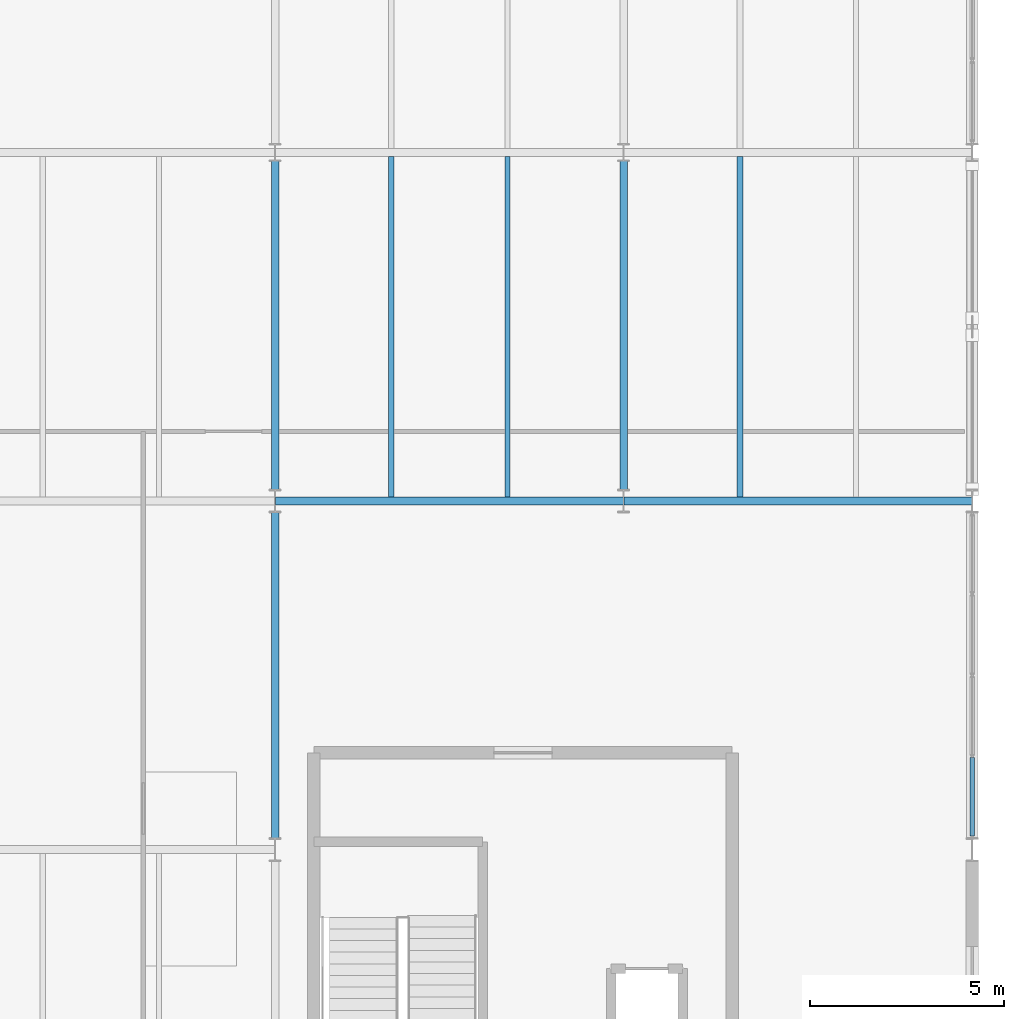
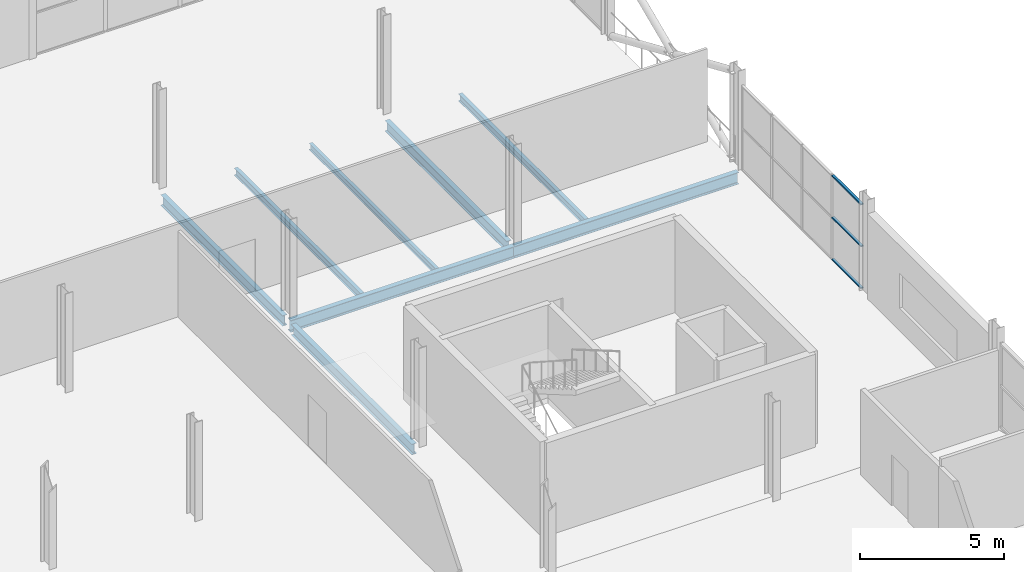
# One storey, part 94 of 135: 8 beams, 3 members, 1 element without a shape of its own.
"""IFC4 building model written with IfcOpenShell, lengths in metres."""

from ifc_helpers import new_model, si_unit, direction, frame, origin, origin_2d, place, context, subcontext, project, spatial, hollow_rectangle, i_section, extrude, material, layer, layer_set, material_profile, profile_set, type_object, element, aggregate, save


model = new_model("IFC4")

# Units and contexts
model_context = context("Model", 3, precision=1e-05, world=origin(), true_north=direction((0.0, 1.0)))
body_context = subcontext(model_context, "Body", "Model", "MODEL_VIEW")
ifc_project = project(units=[si_unit("LENGTHUNIT", "METRE"), si_unit("AREAUNIT", "SQUARE_METRE"), si_unit("VOLUMEUNIT", "CUBIC_METRE"), si_unit("PLANEANGLEUNIT", "RADIAN"), si_unit("MASSUNIT", "GRAM", prefix="KILO")], contexts=[model_context])

# Site, building, storey
site_placement = place(None, origin())
site = spatial("IfcSite", under=ifc_project, at=site_placement, CompositionType="ELEMENT")
building_placement = place(site_placement, origin())
building = spatial("IfcBuilding", under=site, at=building_placement, Name="Deido Ridge Mobility Hub", CompositionType="ELEMENT")
storey_placement = place(building_placement, frame((0.0, 0.0, 4.199951171875)))
storey = spatial("IfcBuildingStorey", under=building, at=storey_placement, Name="L01", CompositionType="ELEMENT", Elevation=4.199951171875)

# Beams
ifc_material_1 = material(Name="Steel S355J2 EN 10025-2", Category="steel")
ifc_material_profile_1 = material_profile(ifc_material_1, i_section(OverallWidth=0.18994140625, OverallDepth=0.449951171875, WebThickness=0.009521484375, FlangeThickness=0.0146484375, FilletRadius=0.02099609375, at=origin_2d()), Name="IPE 450")
ifc_profile_set_1 = profile_set([ifc_material_profile_1], Name="Steel S355J2 EN 10025-2")
beam_type_1 = type_object("IfcBeamType", Name="BM-IPE450", PredefinedType="BEAM", material=ifc_profile_set_1)
beam_1_placement = place(storey_placement, frame((162.0, 45.300048828125, -0.474853515625), z_axis=(0.0, 1.0, 0.0), x_axis=(-1.0, 0.0, 0.0)))
element("IfcBeam", 1, at=beam_1_placement, inside=storey, type_object=beam_type_1, Name="Floor beam B4", PredefinedType="BEAM", context=body_context, shape_type="SweptSolid", body=[
    extrude(i_section(OverallWidth=0.18994140625, OverallDepth=0.449951171875, WebThickness=0.009521484375, FlangeThickness=0.0146484375, FilletRadius=0.02099609375, at=origin_2d()), origin(), (0.0, 0.0, 1.0), 8.39990234375),
])
for number, where, z_axis, x_axis, name in (
    (2, (162.0, 54.300048828125, -0.474853515625), (0.0, 1.0, 0.0), (-1.0, 0.0, 0.0), "Floor beam B4"),
    (3, (171.0, 54.300048828125, -0.474853515625), (0.0, 1.0, 0.0), (-1.0, 0.0, 0.0), "Floor beam B4"),
):
    element("IfcBeam", number, at=place(storey_placement, frame(where, z_axis=z_axis, x_axis=x_axis)), inside=storey, type_object=beam_type_1, Name=name, PredefinedType="BEAM", context=body_context, shape_type="SweptSolid", body=[
        extrude(i_section(OverallWidth=0.18994140625, OverallDepth=0.449951171875, WebThickness=0.009521484375, FlangeThickness=0.0146484375, FilletRadius=0.02099609375, at=origin_2d()), origin(), (0.0, 0.0, 1.0), 8.474853515625),
    ])
ifc_material_profile_2 = material_profile(ifc_material_1, i_section(OverallWidth=0.199951171875, OverallDepth=0.5, WebThickness=0.01025390625, FlangeThickness=0.01611328125, FilletRadius=0.02099609375, at=origin_2d()), Name="IPE 500")
ifc_profile_set_2 = profile_set([ifc_material_profile_2], Name="Steel S355J2 EN 10025-2")
beam_type_2 = type_object("IfcBeamType", Name="BM-IPE500", PredefinedType="BEAM", material=ifc_profile_set_2)
for number, where, z_axis, x_axis, name in (
    (4, (162.0078125, 54.0, -0.5), (1.0, 0.0, 0.0), (0.0, 1.0, 0.0), "Floor beam B3"),
    (5, (171.0078125, 54.0, -0.5), (1.0, 0.0, 0.0), (0.0, 1.0, 0.0), "Floor beam B3"),
):
    element("IfcBeam", number, at=place(storey_placement, frame(where, z_axis=z_axis, x_axis=x_axis)), inside=storey, type_object=beam_type_2, Name=name, PredefinedType="BEAM", context=body_context, shape_type="SweptSolid", body=[
        extrude(i_section(OverallWidth=0.199951171875, OverallDepth=0.5, WebThickness=0.01025390625, FlangeThickness=0.01611328125, FilletRadius=0.02099609375, at=origin_2d()), origin(), (0.0, 0.0, 1.0), 8.984375),
    ])
ifc_material_profile_3 = material_profile(ifc_material_1, i_section(OverallWidth=0.135009765625, OverallDepth=0.27001953125, WebThickness=0.006591796875, FlangeThickness=0.01025390625, FilletRadius=0.014892578125, at=origin_2d()), Name="IPE 270")
ifc_profile_set_3 = profile_set([ifc_material_profile_3], Name="Steel S355J2 EN 10025-2")
beam_type_3 = type_object("IfcBeamType", Name="JST-IPE270", PredefinedType="JOIST", material=ifc_profile_set_3)
beam_2_placement = place(storey_placement, frame((168.0, 54.10009765625, -0.385009765625), z_axis=(0.0, 1.0, 0.0), x_axis=(-1.0, 0.0, 0.0)))
element("IfcBeam", 6, at=beam_2_placement, inside=storey, type_object=beam_type_3, Name="Composite joist J4", PredefinedType="JOIST", context=body_context, shape_type="SweptSolid", body=[
    extrude(i_section(OverallWidth=0.135009765625, OverallDepth=0.27001953125, WebThickness=0.006591796875, FlangeThickness=0.01025390625, FilletRadius=0.014892578125, at=origin_2d()), origin(), (0.0, 0.0, 1.0), 8.7998046875),
])
ifc_material_profile_4 = material_profile(ifc_material_1, i_section(OverallWidth=0.14990234375, OverallDepth=0.300048828125, WebThickness=0.007080078125, FlangeThickness=0.0107421875, FilletRadius=0.014892578125, at=origin_2d()), Name="IPE 300")
ifc_profile_set_4 = profile_set([ifc_material_profile_4], Name="Steel S355J2 EN 10025-2")
beam_type_4 = type_object("IfcBeamType", Name="JST-IPE300", PredefinedType="JOIST", material=ifc_profile_set_4)
for number, where, z_axis, x_axis, name in (
    (7, (165.0, 54.10009765625, -0.39990234375), (0.0, 1.0, 0.0), (-1.0, 0.0, 0.0), "Composite joist J3"),
    (8, (174.0, 54.10009765625, -0.39990234375), (0.0, 1.0, 0.0), (-1.0, 0.0, 0.0), "Composite joist J3"),
):
    element("IfcBeam", number, at=place(storey_placement, frame(where, z_axis=z_axis, x_axis=x_axis)), inside=storey, type_object=beam_type_4, Name=name, PredefinedType="JOIST", context=body_context, shape_type="SweptSolid", body=[
        extrude(i_section(OverallWidth=0.14990234375, OverallDepth=0.300048828125, WebThickness=0.007080078125, FlangeThickness=0.0107421875, FilletRadius=0.014892578125, at=origin_2d()), origin(), (0.0, 0.0, 1.0), 8.7998046875),
    ])

# Curtain wall, members
ifc_material_2 = material(Name="Anodised aluminium EN AW-6063 T6", Category="aluminium")
ifc_layer = layer(ifc_material_2, 0.1650390625, Name="Anodised aluminium EN AW-6063 T6")
ifc_layer_set = layer_set([ifc_layer], Name="Anodised aluminium EN AW-6063 T6")
curtain_wall_type = type_object("IfcCurtainWallType", Name="CW-UF-1", PredefinedType="USERDEFINED", material=ifc_layer_set)
curtain_wall_placement = place(storey_placement, origin())
curtain_wall = element("IfcCurtainWall", 9, at=curtain_wall_placement, inside=storey, type_object=curtain_wall_type, Name="Unitised curtain wall CW1", ObjectType="UNITISED FACADE", PredefinedType="USERDEFINED")
ifc_material_profile_5 = material_profile(ifc_material_2, hollow_rectangle(XDim=0.10498046875, YDim=0.050048828125, WallThickness=0.00390625, at=origin_2d()), Name="RHS 105x50x4")
ifc_profile_set_5 = profile_set([ifc_material_profile_5], Name="Anodised aluminium EN AW-6063 T6")
member_type = type_object("IfcMemberType", Name="MEM-TRN-105X50", PredefinedType="USERDEFINED", material=ifc_profile_set_5)
member_1_placement = place(storey_placement, frame((180.0, 45.35009765625, 0.025146484375), z_axis=(0.0, 1.0, 0.0), x_axis=(-1.0, 0.0, 0.0)))
member_1 = element("IfcMember", 10, at=member_1_placement, type_object=member_type, Name="CW1 transom 1.1", ObjectType="TRANSOM", PredefinedType="USERDEFINED", context=body_context, shape_type="SweptSolid", body=[
    extrude(hollow_rectangle(XDim=0.10498046875, YDim=0.050048828125, WallThickness=0.00390625, at=origin_2d()), origin(), (0.0, 0.0, 1.0), 2.02490234375),
])
member_2_placement = place(storey_placement, frame((180.0, 45.35009765625, 1.800048828125), z_axis=(0.0, 1.0, 0.0), x_axis=(-1.0, 0.0, 0.0)))
member_2 = element("IfcMember", 11, at=member_2_placement, type_object=member_type, Name="CW1 transom 1.2", ObjectType="TRANSOM", PredefinedType="USERDEFINED", context=body_context, shape_type="SweptSolid", body=[
    extrude(hollow_rectangle(XDim=0.10498046875, YDim=0.050048828125, WallThickness=0.00390625, at=origin_2d()), origin(), (0.0, 0.0, 1.0), 2.02490234375),
])
member_3_placement = place(storey_placement, frame((180.0, 45.35009765625, 3.574951171875), z_axis=(0.0, 1.0, 0.0), x_axis=(-1.0, 0.0, 0.0)))
member_3 = element("IfcMember", 12, at=member_3_placement, type_object=member_type, Name="CW1 transom 1.3", ObjectType="TRANSOM", PredefinedType="USERDEFINED", context=body_context, shape_type="SweptSolid", body=[
    extrude(hollow_rectangle(XDim=0.10498046875, YDim=0.050048828125, WallThickness=0.00390625, at=origin_2d()), origin(), (0.0, 0.0, 1.0), 2.02490234375),
])
aggregate(curtain_wall, [member_1, member_2, member_3])

save(model, "model.ifc")
